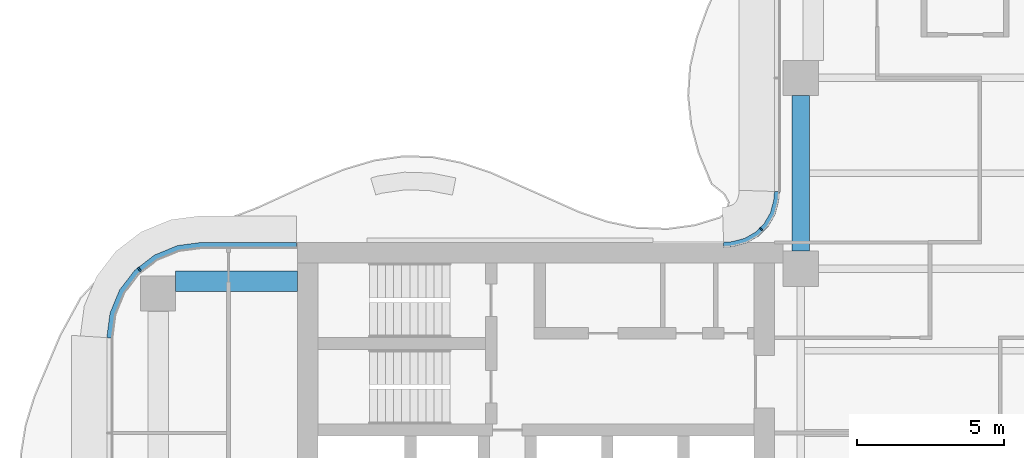
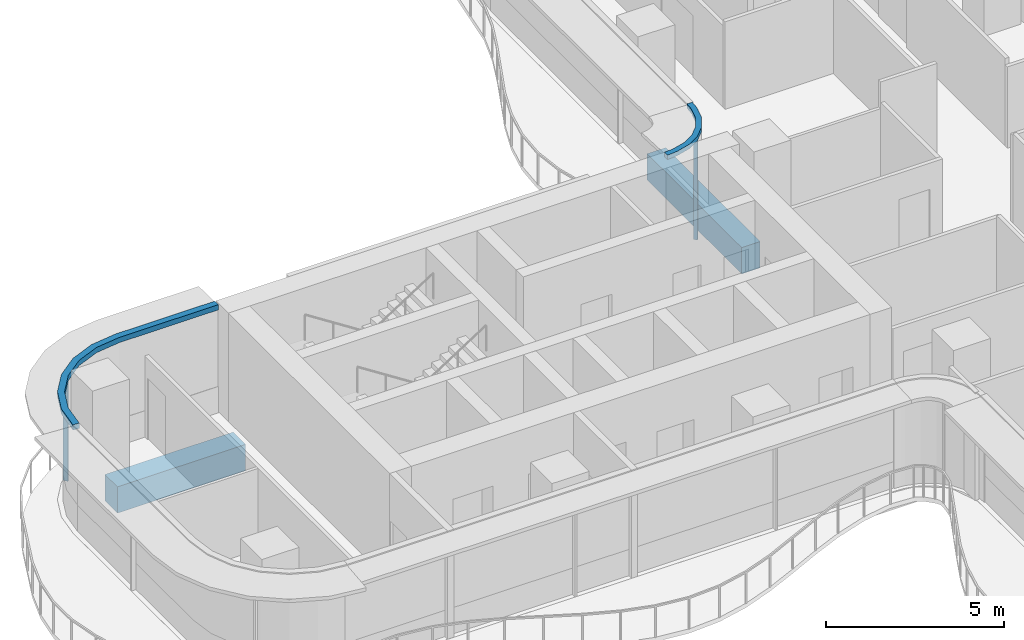
# One storey, part 7 of 18: 4 members, 2 beams, 2 elements without a shape of their own.
"""IFC4 building model written with IfcOpenShell, lengths in metres."""

from ifc_helpers import new_model, si_unit, direction, frame, origin, origin_2d, place, context, subcontext, project, spatial, polyline, rectangle, outline, extrude, source, transform, mapped, material, layer, layer_set, material_profile, profile_set, type_object, element, aggregate, save


model = new_model("IFC4")

# Units and contexts
model_context = context("Model", 3, precision=1e-05, world=origin(), true_north=direction((0.0, 1.0)))
body_context = subcontext(model_context, "Body", "Model", "MODEL_VIEW")
ifc_project = project(units=[si_unit("LENGTHUNIT", "METRE"), si_unit("AREAUNIT", "SQUARE_METRE"), si_unit("VOLUMEUNIT", "CUBIC_METRE"), si_unit("PLANEANGLEUNIT", "RADIAN"), si_unit("MASSUNIT", "GRAM", prefix="KILO")], contexts=[model_context])

# Site, building, storey
site_placement = place(None, origin())
site = spatial("IfcSite", under=ifc_project, at=site_placement, CompositionType="ELEMENT")
building_placement = place(site_placement, origin())
building = spatial("IfcBuilding", under=site, at=building_placement, Name="Trellis Farm Tower", CompositionType="ELEMENT")
storey_placement = place(building_placement, frame((0.0, 0.0, 189.300048828125)))
storey = spatial("IfcBuildingStorey", under=building, at=storey_placement, Name="L41", CompositionType="ELEMENT", Elevation=189.300048828125)

# Beams
ifc_material_1 = material(Name="Concrete C60/75", Category="concrete")
ifc_material_profile_1 = material_profile(ifc_material_1, rectangle(XDim=0.60009765625, YDim=0.89990234375, at=origin_2d()), Name="RC spandrel beam 600x900 C60/75")
ifc_profile_set_1 = profile_set([ifc_material_profile_1], Name="Concrete C60/75")
beam_type_1 = type_object("IfcBeamType", Name="RC spandrel beam 600x900 C60/75", PredefinedType="SPANDREL", material=ifc_profile_set_1)
shared_shape_1 = source(origin(), body_context, "Body", "SweptSolid", [
    extrude(rectangle(XDim=0.60009765625, YDim=0.89990234375, at=origin_2d()), origin(), (0.0, 0.0, 1.0), 5.300048828125),
])
beam_1_placement = place(storey_placement, frame((-5.60009765625, 6.199951171875, -0.650146484375), z_axis=(0.0, 1.0, 0.0), x_axis=(-1.0, 0.0, 0.0)))
element("IfcBeam", 1, at=beam_1_placement, inside=storey, type_object=beam_type_1, Name="Girder", PredefinedType="SPANDREL", context=body_context, shape_type="MappedRepresentation", body=[
    mapped(shared_shape_1, transform((0.0, 0.0, 0.0))),
])
ifc_material_profile_2 = material_profile(ifc_material_1, rectangle(XDim=0.699951171875, YDim=0.89990234375, at=origin_2d()), Name="RC spandrel beam 700x900 C60/75")
ifc_profile_set_2 = profile_set([ifc_material_profile_2], Name="Concrete C60/75")
beam_type_2 = type_object("IfcBeamType", Name="RC spandrel beam 700x900 C60/75", PredefinedType="SPANDREL", material=ifc_profile_set_2)
shared_shape_2 = source(origin(), body_context, "Body", "SweptSolid", [
    extrude(rectangle(XDim=0.699951171875, YDim=0.89990234375, at=origin_2d()), origin(), (0.0, 0.0, 1.0), 4.14990234375),
])
beam_2_placement = place(storey_placement, frame((-26.89990234375, 5.175048828125, -0.650146484375), z_axis=(1.0, 0.0, 0.0), x_axis=(0.0, 1.0, 0.0)))
element("IfcBeam", 2, at=beam_2_placement, inside=storey, type_object=beam_type_2, Name="Girder", PredefinedType="SPANDREL", context=body_context, shape_type="MappedRepresentation", body=[
    mapped(shared_shape_2, transform((0.0, 0.0, 0.0))),
])

# Curtain wall, member
ifc_material_2 = material(Name="Aluminium and glass curtain wall", Category="aluminium")
ifc_layer_1 = layer(ifc_material_2, 0.166015625)
ifc_layer_set_1 = layer_set([ifc_layer_1], Name="WINTER GARDEN CURTAIN WALL CW3")
curtain_wall_type_1 = type_object("IfcCurtainWallType", Name="WINTER GARDEN CURTAIN WALL CW3", PredefinedType="NOTDEFINED", material=ifc_layer_set_1)
placement = place(storey_placement, origin())
curtain_wall_1 = element("IfcCurtainWall", 3, at=placement, inside=storey, type_object=curtain_wall_type_1, Name="CW3 004", PredefinedType="NOTDEFINED")
ifc_material_3 = material(Name="Aluminium extrusion 6063-T6", Category="aluminium")
ifc_layer_2 = layer(ifc_material_3, 0.169921875)
ifc_layer_set_2 = layer_set([ifc_layer_2], Name="Aluminium extrusion 6063-T6")
member_type_1 = type_object("IfcMemberType", Name="CW3 TRANSOM 170x150", PredefinedType="USERDEFINED", material=ifc_layer_set_2)
shared_shape_3 = source(origin(), body_context, "Body", "SweptSolid", [
    extrude(outline(polyline([(-6.5, 8.2314453125), (-6.513916015625, 8.01953125), (-6.527587890625, 7.91552734375), (-6.63671875, 7.508544921875), (-6.846923828125, 7.144287109375), (-7.144287109375, 6.846923828125), (-7.508544921875, 6.63671875), (-7.91552734375, 6.527587890625), (-8.01953125, 6.513916015625), (-8.2314453125, 6.5), (-8.225830078125, 6.330078125), (-8.0029296875, 6.3447265625), (-7.88232421875, 6.360595703125), (-7.44287109375, 6.478271484375), (-7.0400390625, 6.7109375), (-6.7109375, 7.0400390625), (-6.478271484375, 7.44287109375), (-6.360595703125, 7.88232421875), (-6.3447265625, 8.0029296875), (-6.330078125, 8.225830078125), (-6.5, 8.2314453125)])), origin(), (0.0, 0.0, 1.0), 0.14990234375),
])
member_1_placement = place(storey_placement, frame((0.0, 0.0, 3.550048828125)))
member_1 = element("IfcMember", 4, at=member_1_placement, type_object=member_type_1, Name="TR3 004", ObjectType="TRANSOM", PredefinedType="USERDEFINED", context=body_context, shape_type="MappedRepresentation", body=[
    mapped(shared_shape_3, transform((0.0, 0.0, 0.0))),
])

ifc_layer_3 = layer(ifc_material_2, 0.18994140625)
ifc_layer_set_3 = layer_set([ifc_layer_3], Name="RIBBON CURTAIN WALL CW1")
curtain_wall_type_2 = type_object("IfcCurtainWallType", Name="RIBBON CURTAIN WALL CW1", PredefinedType="NOTDEFINED", material=ifc_layer_set_3)
curtain_wall_2 = element("IfcCurtainWall", 5, at=placement, inside=storey, type_object=curtain_wall_type_2, Name="CW1 012", PredefinedType="NOTDEFINED")
ifc_material_profile_3 = material_profile(ifc_material_3, rectangle(XDim=0.06005859375, YDim=0.14990234375, at=origin_2d()), Name="MULLION 60x150")
ifc_profile_set_3 = profile_set([ifc_material_profile_3], Name="Aluminium extrusion 6063-T6")
member_type_2 = type_object("IfcMemberType", Name="CW1 MULLION 60x150", PredefinedType="MULLION", material=ifc_profile_set_3)
shared_shape_4 = source(origin(), body_context, "Body", "SweptSolid", [
    extrude(rectangle(XDim=0.06005859375, YDim=0.14990234375, at=origin_2d()), origin(), (0.0, 0.0, 1.0), 3.52001953125),
])
member_2_placement = place(storey_placement, frame((-28.135498046875, 5.578369140625, 0.0), z_axis=(0.0, 0.0, 1.0), x_axis=(-0.793353340291, -0.608761429009, 0.0)))
member_2 = element("IfcMember", 6, at=member_2_placement, type_object=member_type_2, Name="MU1 012-01", PredefinedType="MULLION", context=body_context, shape_type="MappedRepresentation", body=[
    mapped(shared_shape_4, transform((0.0, 0.0, 0.0))),
])

# Member
ifc_material_profile_4 = material_profile(ifc_material_3, rectangle(XDim=0.050048828125, YDim=0.1201171875, at=origin_2d()), Name="MULLION 50x120")
ifc_profile_set_4 = profile_set([ifc_material_profile_4], Name="Aluminium extrusion 6063-T6")
member_type_3 = type_object("IfcMemberType", Name="CW3 MULLION 50x120", PredefinedType="MULLION", material=ifc_profile_set_4)
shared_shape_5 = source(origin(), body_context, "Body", "SweptSolid", [
    extrude(rectangle(XDim=0.050048828125, YDim=0.1201171875, at=origin_2d()), origin(), (0.0, 0.0, 1.0), 3.550048828125),
])
member_3_placement = place(storey_placement, frame((-6.953125, 6.953125, 0.0), z_axis=(0.0, 0.0, 1.0), x_axis=(-0.707106781187, -0.707106781187, 0.0)))
member_3 = element("IfcMember", 7, at=member_3_placement, type_object=member_type_3, Name="MU3 004-01", PredefinedType="MULLION", context=body_context, shape_type="MappedRepresentation", body=[
    mapped(shared_shape_5, transform((0.0, 0.0, 0.0))),
])

aggregate(curtain_wall_1, [member_3, member_1])

ifc_layer_4 = layer(ifc_material_3, 0.199951171875)
ifc_layer_set_4 = layer_set([ifc_layer_4], Name="Aluminium extrusion 6063-T6")
member_type_4 = type_object("IfcMemberType", Name="CW1 TRANSOM 200x180", PredefinedType="USERDEFINED", material=ifc_layer_set_4)
shared_shape_6 = source(origin(), body_context, "Body", "SweptSolid", [
    extrude(outline(polyline([(-22.780029296875, 6.5), (-26.0, 6.5), (-26.841064453125, 6.38916015625), (-27.625, 6.064697265625), (-28.298095703125, 5.548095703125), (-28.814697265625, 4.875), (-29.13916015625, 4.091064453125), (-29.25, 3.25), (-29.050048828125, 3.23681640625), (-28.9443359375, 4.0390625), (-28.639892578125, 4.774169921875), (-28.155517578125, 5.405517578125), (-27.524169921875, 5.889892578125), (-26.7890625, 6.1943359375), (-25.98681640625, 6.300048828125), (-22.780029296875, 6.300048828125), (-22.780029296875, 6.5)])), origin(), (0.0, 0.0, 1.0), 0.179931640625),
])
member_4_placement = place(storey_placement, frame((0.0, 0.0, 3.52001953125)))
member_4 = element("IfcMember", 8, at=member_4_placement, type_object=member_type_4, Name="TR1 012", ObjectType="TRANSOM", PredefinedType="USERDEFINED", context=body_context, shape_type="MappedRepresentation", body=[
    mapped(shared_shape_6, transform((0.0, 0.0, 0.0))),
])

aggregate(curtain_wall_2, [member_2, member_4])

save(model, "model.ifc")
